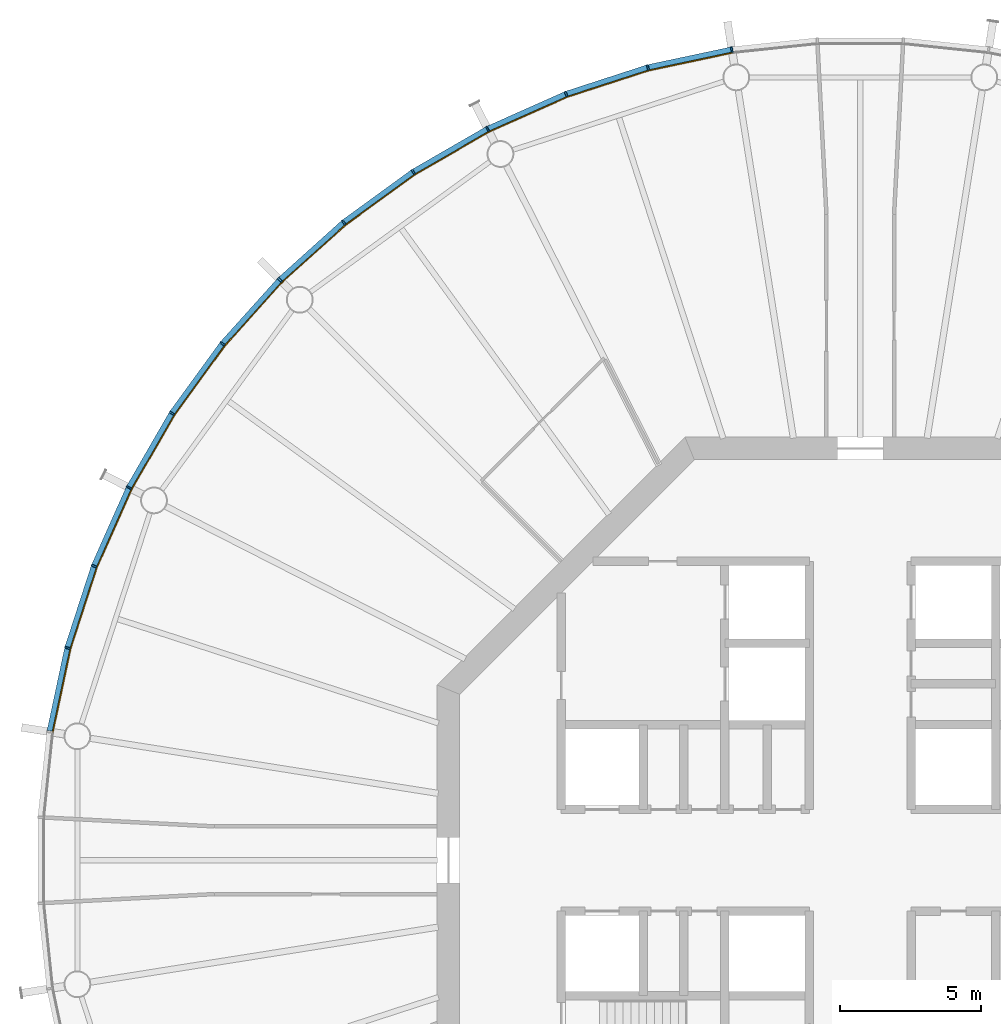
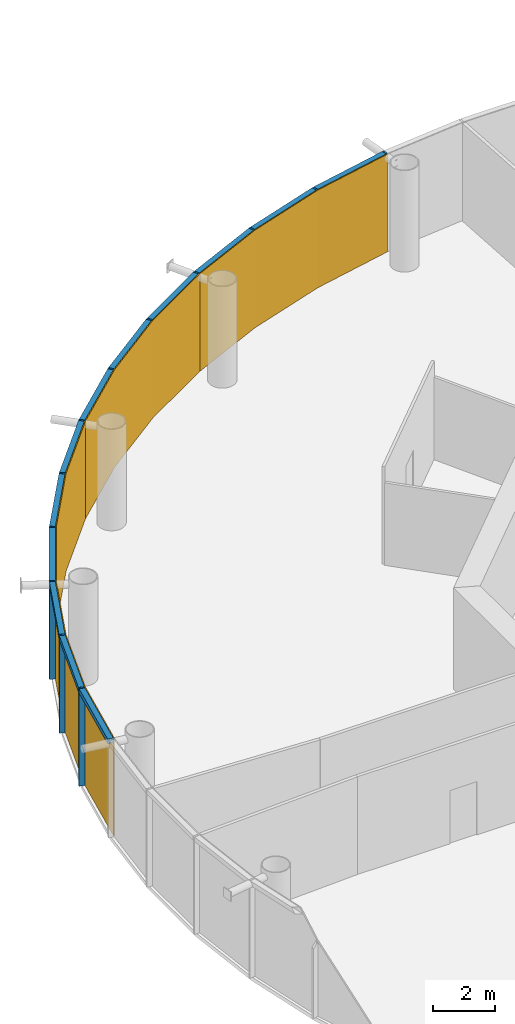
# One storey, part 14 of 17: 24 members, 4 curtain walls.
"""IFC4 building model written with IfcOpenShell, lengths in metres."""

from ifc_helpers import new_model, si_unit, direction, frame, origin, origin_2d, place, context, subcontext, project, spatial, polyline, rectangle, outline, extrude, material, layer, layer_set, material_profile, profile_set, type_object, element, aggregate, save


model = new_model("IFC4")

# Units and contexts
model_context = context("Model", 3, precision=1e-05, world=origin(), true_north=direction((0.0, 1.0)))
body_context = subcontext(model_context, "Body", "Model", "MODEL_VIEW")
ifc_project = project(units=[si_unit("LENGTHUNIT", "METRE"), si_unit("AREAUNIT", "SQUARE_METRE"), si_unit("VOLUMEUNIT", "CUBIC_METRE"), si_unit("PLANEANGLEUNIT", "RADIAN"), si_unit("MASSUNIT", "GRAM", prefix="KILO")], contexts=[model_context])

# Member
ifc_material_1 = material(Name="Anodised aluminium", Category="aluminium")
ifc_material_profile_1 = material_profile(ifc_material_1, rectangle(XDim=0.06494140625, YDim=0.195068359375, at=origin_2d()), Name="Mullion 65 x 195 mm anodised aluminium")
ifc_profile_set_1 = profile_set([ifc_material_profile_1], Name="Anodised aluminium")
member_type_1 = type_object("IfcMemberType", Name="Mullion 65 x 195 mm anodised aluminium", PredefinedType="MULLION", material=ifc_profile_set_1)
site_placement = place(None, origin())
building_placement = place(site_placement, origin())
storey_placement = place(building_placement, frame((0.0, 0.0, 306.0)))
member_1_placement = place(storey_placement, frame((85.4482421875, 108.7392578125, 0.0), z_axis=(0.0, 0.0, 1.0), x_axis=(-0.987688340595, -0.15643446504, 0.0)))
member_1 = element("IfcMember", 1, at=member_1_placement, type_object=member_type_1, Name="MULLION L70-15", PredefinedType="MULLION", context=body_context, shape_type="SweptSolid", body=[
    extrude(rectangle(XDim=0.06494140625, YDim=0.195068359375, at=origin_2d()), origin(), (0.0, 0.0, 1.0), 3.85009765625),
])

member_2_placement = place(storey_placement, frame((82.468994140625, 108.10595703125, 0.0), z_axis=(0.0, 0.0, 1.0), x_axis=(-0.965925826289, -0.258819045103, 0.0)))
member_2 = element("IfcMember", 2, at=member_2_placement, type_object=member_type_1, Name="MULLION L70-16", PredefinedType="MULLION", context=body_context, shape_type="SweptSolid", body=[
    extrude(rectangle(XDim=0.06494140625, YDim=0.195068359375, at=origin_2d()), origin(), (0.0, 0.0, 1.0), 3.85009765625),
])

member_3_placement = place(storey_placement, frame((79.572509765625, 107.164794921875, 0.0), z_axis=(0.0, 0.0, 1.0), x_axis=(-0.933580426497, -0.358367949545, 0.0)))
member_3 = element("IfcMember", 3, at=member_3_placement, type_object=member_type_1, Name="MULLION L70-17", PredefinedType="MULLION", context=body_context, shape_type="SweptSolid", body=[
    extrude(rectangle(XDim=0.06494140625, YDim=0.195068359375, at=origin_2d()), origin(), (0.0, 0.0, 1.0), 3.85009765625),
])

member_4_placement = place(storey_placement, frame((76.7900390625, 105.926025390625, 0.0), z_axis=(0.0, 0.0, 1.0), x_axis=(-0.891006524188, -0.45399049974, 0.0)))
member_4 = element("IfcMember", 4, at=member_4_placement, type_object=member_type_1, Name="MULLION L70-18", PredefinedType="MULLION", context=body_context, shape_type="SweptSolid", body=[
    extrude(rectangle(XDim=0.06494140625, YDim=0.195068359375, at=origin_2d()), origin(), (0.0, 0.0, 1.0), 3.85009765625),
])

member_5_placement = place(storey_placement, frame((74.15234375, 104.4033203125, 0.0), z_axis=(0.0, 0.0, 1.0), x_axis=(-0.838670567945, -0.544639035015, 0.0)))
member_5 = element("IfcMember", 5, at=member_5_placement, type_object=member_type_1, Name="MULLION L70-19", PredefinedType="MULLION", context=body_context, shape_type="SweptSolid", body=[
    extrude(rectangle(XDim=0.06494140625, YDim=0.195068359375, at=origin_2d()), origin(), (0.0, 0.0, 1.0), 3.85009765625),
])

member_6_placement = place(storey_placement, frame((71.688232421875, 102.613037109375, 0.0), z_axis=(0.0, 0.0, 1.0), x_axis=(-0.777145961457, -0.62932039105, 0.0)))
member_6 = element("IfcMember", 6, at=member_6_placement, type_object=member_type_1, Name="MULLION L70-20", PredefinedType="MULLION", context=body_context, shape_type="SweptSolid", body=[
    extrude(rectangle(XDim=0.06494140625, YDim=0.195068359375, at=origin_2d()), origin(), (0.0, 0.0, 1.0), 3.85009765625),
])

member_7_placement = place(storey_placement, frame((69.425048828125, 100.574951171875, 0.0), z_axis=(0.0, 0.0, 1.0), x_axis=(-0.707106781187, -0.707106781187, 0.0)))
member_7 = element("IfcMember", 7, at=member_7_placement, type_object=member_type_1, Name="MULLION L70-21", PredefinedType="MULLION", context=body_context, shape_type="SweptSolid", body=[
    extrude(rectangle(XDim=0.06494140625, YDim=0.195068359375, at=origin_2d()), origin(), (0.0, 0.0, 1.0), 3.85009765625),
])

member_8_placement = place(storey_placement, frame((67.386962890625, 98.311767578125, 0.0), z_axis=(0.0, 0.0, 1.0), x_axis=(-0.62932039105, -0.777145961457, 0.0)))
member_8 = element("IfcMember", 8, at=member_8_placement, type_object=member_type_1, Name="MULLION L70-22", PredefinedType="MULLION", context=body_context, shape_type="SweptSolid", body=[
    extrude(rectangle(XDim=0.06494140625, YDim=0.195068359375, at=origin_2d()), origin(), (0.0, 0.0, 1.0), 3.85009765625),
])

member_9_placement = place(storey_placement, frame((65.5966796875, 95.84765625, 0.0), z_axis=(0.0, 0.0, 1.0), x_axis=(-0.544639035015, -0.838670567945, 0.0)))
member_9 = element("IfcMember", 9, at=member_9_placement, type_object=member_type_1, Name="MULLION L70-23", PredefinedType="MULLION", context=body_context, shape_type="SweptSolid", body=[
    extrude(rectangle(XDim=0.06494140625, YDim=0.195068359375, at=origin_2d()), origin(), (0.0, 0.0, 1.0), 3.85009765625),
])

member_10_placement = place(storey_placement, frame((64.073974609375, 93.2099609375, 0.0), z_axis=(0.0, 0.0, 1.0), x_axis=(-0.45399049974, -0.891006524188, 0.0)))
member_10 = element("IfcMember", 10, at=member_10_placement, type_object=member_type_1, Name="MULLION L70-24", PredefinedType="MULLION", context=body_context, shape_type="SweptSolid", body=[
    extrude(rectangle(XDim=0.06494140625, YDim=0.195068359375, at=origin_2d()), origin(), (0.0, 0.0, 1.0), 3.85009765625),
])

member_11_placement = place(storey_placement, frame((62.835205078125, 90.427490234375, 0.0), z_axis=(0.0, 0.0, 1.0), x_axis=(-0.358367949545, -0.933580426497, 0.0)))
member_11 = element("IfcMember", 11, at=member_11_placement, type_object=member_type_1, Name="MULLION L70-25", PredefinedType="MULLION", context=body_context, shape_type="SweptSolid", body=[
    extrude(rectangle(XDim=0.06494140625, YDim=0.195068359375, at=origin_2d()), origin(), (0.0, 0.0, 1.0), 3.85009765625),
])

member_12_placement = place(storey_placement, frame((61.89404296875, 87.531005859375, 0.0), z_axis=(0.0, 0.0, 1.0), x_axis=(-0.258819045103, -0.965925826289, 0.0)))
member_12 = element("IfcMember", 12, at=member_12_placement, type_object=member_type_1, Name="MULLION L70-26", PredefinedType="MULLION", context=body_context, shape_type="SweptSolid", body=[
    extrude(rectangle(XDim=0.06494140625, YDim=0.195068359375, at=origin_2d()), origin(), (0.0, 0.0, 1.0), 3.85009765625),
])

ifc_material_2 = material(Name="Anodised aluminium", Category="aluminium")
ifc_material_profile_2 = material_profile(ifc_material_2, rectangle(XDim=0.195068359375, YDim=0.179931640625, at=origin_2d()), Name="Transom 180 x 195 mm anodised aluminium")
ifc_profile_set_2 = profile_set([ifc_material_profile_2], Name="Anodised aluminium")
member_type_2 = type_object("IfcMemberType", Name="Transom 180 x 195 mm anodised aluminium", PredefinedType="USERDEFINED", material=ifc_profile_set_2)
member_13_placement = place(storey_placement, frame((85.411376953125, 108.731689453125, 3.760009765625), z_axis=(-0.978141510112, -0.207940342877, 0.0), x_axis=(0.207940342877, -0.978141510112, 0.0)))
member_13 = element("IfcMember", 13, at=member_13_placement, type_object=member_type_2, Name="TRANSOM L70-15", ObjectType="TRANSOM", PredefinedType="USERDEFINED", context=body_context, shape_type="SweptSolid", body=[
    extrude(rectangle(XDim=0.195068359375, YDim=0.179931640625, at=origin_2d()), origin(), (0.0, 0.0, 1.0), 2.970458984375),
])

member_14_placement = place(storey_placement, frame((82.43310546875, 108.094482421875, 3.760009765625), z_axis=(-0.951047960094, -0.309043326415, 0.0), x_axis=(0.309043326415, -0.951047960094, 0.0)))
member_14 = element("IfcMember", 14, at=member_14_placement, type_object=member_type_2, Name="TRANSOM L70-16", ObjectType="TRANSOM", PredefinedType="USERDEFINED", context=body_context, shape_type="SweptSolid", body=[
    extrude(rectangle(XDim=0.195068359375, YDim=0.179931640625, at=origin_2d()), origin(), (0.0, 0.0, 1.0), 2.970458984375),
])

member_15_placement = place(storey_placement, frame((79.5380859375, 107.149658203125, 3.760009765625), z_axis=(-0.913550406593, -0.406725527369, 0.0), x_axis=(0.406725527369, -0.913550406593, 0.0)))
member_15 = element("IfcMember", 15, at=member_15_placement, type_object=member_type_2, Name="TRANSOM L70-17", ObjectType="TRANSOM", PredefinedType="USERDEFINED", context=body_context, shape_type="SweptSolid", body=[
    extrude(rectangle(XDim=0.195068359375, YDim=0.179931640625, at=origin_2d()), origin(), (0.0, 0.0, 1.0), 2.970703125),
])

member_16_placement = place(storey_placement, frame((76.75732421875, 105.907470703125, 3.760009765625), z_axis=(-0.866009025146, -0.500028367561, 0.0), x_axis=(0.500028367561, -0.866009025146, 0.0)))
member_16 = element("IfcMember", 16, at=member_16_placement, type_object=member_type_2, Name="TRANSOM L70-18", ObjectType="TRANSOM", PredefinedType="USERDEFINED", context=body_context, shape_type="SweptSolid", body=[
    extrude(rectangle(XDim=0.195068359375, YDim=0.179931640625, at=origin_2d()), origin(), (0.0, 0.0, 1.0), 2.970458984375),
])

member_17_placement = place(storey_placement, frame((74.121826171875, 104.381103515625, 3.760009765625), z_axis=(-0.809030990733, -0.587765987476, 0.0), x_axis=(0.587765987476, -0.809030990733, 0.0)))
member_17 = element("IfcMember", 17, at=member_17_placement, type_object=member_type_2, Name="TRANSOM L70-19", ObjectType="TRANSOM", PredefinedType="USERDEFINED", context=body_context, shape_type="SweptSolid", body=[
    extrude(rectangle(XDim=0.195068359375, YDim=0.179931640625, at=origin_2d()), origin(), (0.0, 0.0, 1.0), 2.97021484375),
])

member_18_placement = place(storey_placement, frame((71.660400390625, 102.587890625, 3.760009765625), z_axis=(-0.743163354343, -0.669110027395, 0.0), x_axis=(0.669110027395, -0.743163354343, 0.0)))
member_18 = element("IfcMember", 18, at=member_18_placement, type_object=member_type_2, Name="TRANSOM L70-20", ObjectType="TRANSOM", PredefinedType="USERDEFINED", context=body_context, shape_type="SweptSolid", body=[
    extrude(rectangle(XDim=0.195068359375, YDim=0.179931640625, at=origin_2d()), origin(), (0.0, 0.0, 1.0), 2.970458984375),
])

member_19_placement = place(storey_placement, frame((69.399658203125, 100.547119140625, 3.760009765625), z_axis=(-0.669110027395, -0.743163354343, 0.0), x_axis=(0.743163354343, -0.669110027395, 0.0)))
member_19 = element("IfcMember", 19, at=member_19_placement, type_object=member_type_2, Name="TRANSOM L70-21", ObjectType="TRANSOM", PredefinedType="USERDEFINED", context=body_context, shape_type="SweptSolid", body=[
    extrude(rectangle(XDim=0.195068359375, YDim=0.179931640625, at=origin_2d()), origin(), (0.0, 0.0, 1.0), 2.970458984375),
])

member_20_placement = place(storey_placement, frame((67.36474609375, 98.28125, 3.760009765625), z_axis=(-0.587765987476, -0.809030990733, 0.0), x_axis=(0.809030990733, -0.587765987476, 0.0)))
member_20 = element("IfcMember", 20, at=member_20_placement, type_object=member_type_2, Name="TRANSOM L70-22", ObjectType="TRANSOM", PredefinedType="USERDEFINED", context=body_context, shape_type="SweptSolid", body=[
    extrude(rectangle(XDim=0.195068359375, YDim=0.179931640625, at=origin_2d()), origin(), (0.0, 0.0, 1.0), 2.97021484375),
])

member_21_placement = place(storey_placement, frame((65.577880859375, 95.815185546875, 3.760009765625), z_axis=(-0.500028367561, -0.866009025146, 0.0), x_axis=(0.866009025146, -0.500028367561, 0.0)))
member_21 = element("IfcMember", 21, at=member_21_placement, type_object=member_type_2, Name="TRANSOM L70-23", ObjectType="TRANSOM", PredefinedType="USERDEFINED", context=body_context, shape_type="SweptSolid", body=[
    extrude(rectangle(XDim=0.195068359375, YDim=0.179931640625, at=origin_2d()), origin(), (0.0, 0.0, 1.0), 2.970458984375),
])

member_22_placement = place(storey_placement, frame((64.05859375, 93.17578125, 3.760009765625), z_axis=(-0.406725527369, -0.913550406593, 0.0), x_axis=(0.913550406593, -0.406725527369, 0.0)))
member_22 = element("IfcMember", 22, at=member_22_placement, type_object=member_type_2, Name="TRANSOM L70-24", ObjectType="TRANSOM", PredefinedType="USERDEFINED", context=body_context, shape_type="SweptSolid", body=[
    extrude(rectangle(XDim=0.195068359375, YDim=0.179931640625, at=origin_2d()), origin(), (0.0, 0.0, 1.0), 2.970703125),
])

member_23_placement = place(storey_placement, frame((62.823486328125, 90.391845703125, 3.760009765625), z_axis=(-0.309043326415, -0.951047960094, 0.0), x_axis=(0.951047960094, -0.309043326415, 0.0)))
member_23 = element("IfcMember", 23, at=member_23_placement, type_object=member_type_2, Name="TRANSOM L70-25", ObjectType="TRANSOM", PredefinedType="USERDEFINED", context=body_context, shape_type="SweptSolid", body=[
    extrude(rectangle(XDim=0.195068359375, YDim=0.179931640625, at=origin_2d()), origin(), (0.0, 0.0, 1.0), 2.970458984375),
])

member_24_placement = place(storey_placement, frame((61.885986328125, 87.494140625, 3.760009765625), z_axis=(-0.207940342877, -0.978141510112, 0.0), x_axis=(0.978141510112, -0.207940342877, 0.0)))
member_24 = element("IfcMember", 24, at=member_24_placement, type_object=member_type_2, Name="TRANSOM L70-26", ObjectType="TRANSOM", PredefinedType="USERDEFINED", context=body_context, shape_type="SweptSolid", body=[
    extrude(rectangle(XDim=0.195068359375, YDim=0.179931640625, at=origin_2d()), origin(), (0.0, 0.0, 1.0), 2.970458984375),
])

# Site, building, storey
site = spatial("IfcSite", under=ifc_project, at=site_placement, CompositionType="ELEMENT")
building = spatial("IfcBuilding", under=site, at=building_placement, Name="Entoto Ring Tower", CompositionType="ELEMENT")
storey = spatial("IfcBuildingStorey", under=building, at=storey_placement, Name="L70", CompositionType="ELEMENT", Elevation=306.0)

# Curtain wall
ifc_material_3 = material(Name="Clear low-iron glass", Category="glass")
ifc_layer = layer(ifc_material_3, 0.033935546875)
ifc_layer_set = layer_set([ifc_layer], Name="Clear low-iron glass")
curtain_wall_type = type_object("IfcCurtainWallType", Name="Curtain wall system CW5 glazing 34 mm", PredefinedType="NOTDEFINED", material=ifc_layer_set)
curtain_wall_1_placement = place(storey_placement, origin())
curtain_wall_1 = element("IfcCurtainWall", 25, at=curtain_wall_1_placement, inside=storey, type_object=curtain_wall_type, Name="CW5 L70-06", PredefinedType="NOTDEFINED", context=body_context, shape_type="SweptSolid", body=[
    extrude(outline(polyline([(85.46337890625, 108.64306640625), (82.494140625, 108.011962890625), (79.607421875, 107.07373046875), (76.834228515625, 105.839111328125), (76.849853515625, 105.808837890625), (79.61962890625, 107.0419921875), (82.503173828125, 107.97900390625), (85.46875, 108.609375), (85.46337890625, 108.64306640625)])), origin(), (0.0, 0.0, 1.0), 3.85009765625),
])

aggregate(curtain_wall_1, [member_1, member_2, member_3, member_13, member_14, member_15])

curtain_wall_2_placement = place(storey_placement, origin())
curtain_wall_2 = element("IfcCurtainWall", 26, at=curtain_wall_2_placement, inside=storey, type_object=curtain_wall_type, Name="CW5 L70-07", PredefinedType="NOTDEFINED", context=body_context, shape_type="SweptSolid", body=[
    extrude(outline(polyline([(76.834228515625, 105.839111328125), (74.20556640625, 104.321533203125), (71.749755859375, 102.537353515625), (69.493896484375, 100.506103515625), (69.51806640625, 100.48193359375), (71.771240234375, 102.5107421875), (74.22412109375, 104.29296875), (76.849853515625, 105.808837890625), (76.834228515625, 105.839111328125)])), origin(), (0.0, 0.0, 1.0), 3.85009765625),
])

aggregate(curtain_wall_2, [member_4, member_5, member_6, member_16, member_17, member_18])

curtain_wall_3_placement = place(storey_placement, origin())
curtain_wall_3 = element("IfcCurtainWall", 27, at=curtain_wall_3_placement, inside=storey, type_object=curtain_wall_type, Name="CW5 L70-08", PredefinedType="NOTDEFINED", context=body_context, shape_type="SweptSolid", body=[
    extrude(outline(polyline([(69.493896484375, 100.506103515625), (67.462646484375, 98.250244140625), (65.678466796875, 95.79443359375), (64.160888671875, 93.165771484375), (64.191162109375, 93.150146484375), (65.70703125, 95.77587890625), (67.4892578125, 98.228759765625), (69.51806640625, 100.48193359375), (69.493896484375, 100.506103515625)])), origin(), (0.0, 0.0, 1.0), 3.85009765625),
])

aggregate(curtain_wall_3, [member_7, member_8, member_9, member_19, member_20, member_21])

curtain_wall_4_placement = place(storey_placement, origin())
curtain_wall_4 = element("IfcCurtainWall", 28, at=curtain_wall_4_placement, inside=storey, type_object=curtain_wall_type, Name="CW5 L70-09", PredefinedType="NOTDEFINED", context=body_context, shape_type="SweptSolid", body=[
    extrude(outline(polyline([(64.160888671875, 93.165771484375), (62.92626953125, 90.392578125), (61.988037109375, 87.505859375), (61.35693359375, 84.53662109375), (61.390625, 84.53125), (62.02099609375, 87.496826171875), (62.9580078125, 90.38037109375), (64.191162109375, 93.150146484375), (64.160888671875, 93.165771484375)])), origin(), (0.0, 0.0, 1.0), 3.85009765625),
])

aggregate(curtain_wall_4, [member_10, member_11, member_12, member_22, member_23, member_24])

save(model, "model.ifc")
